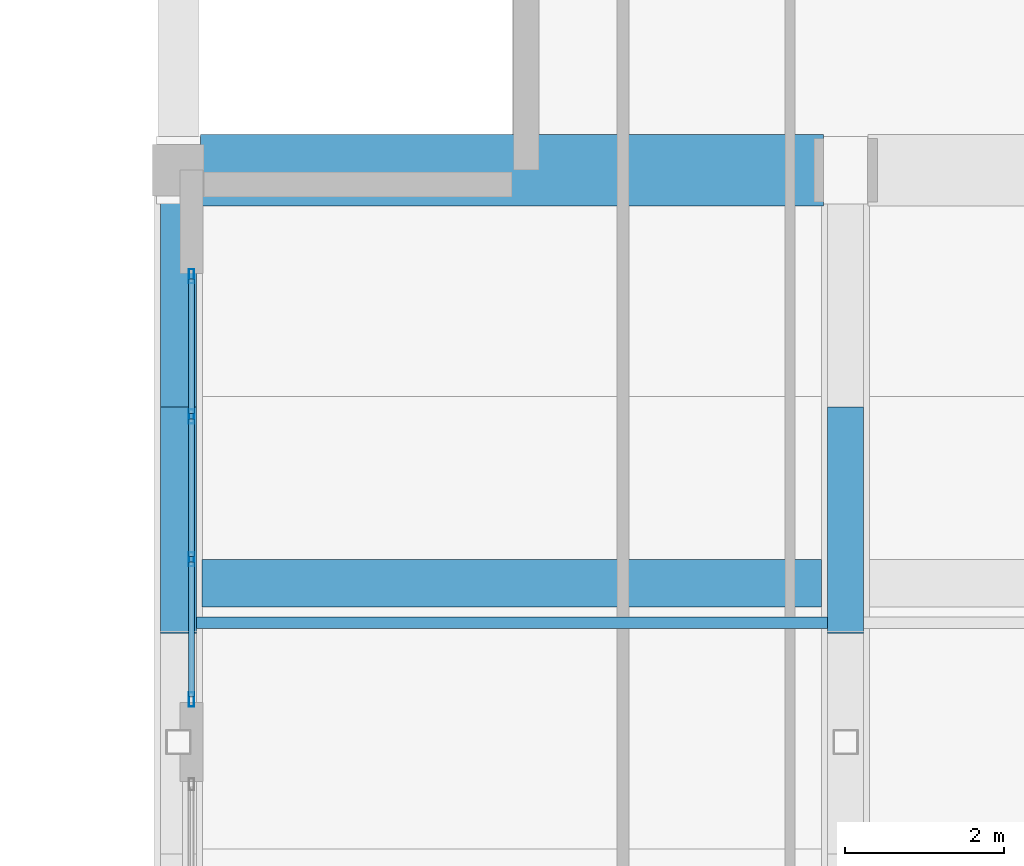
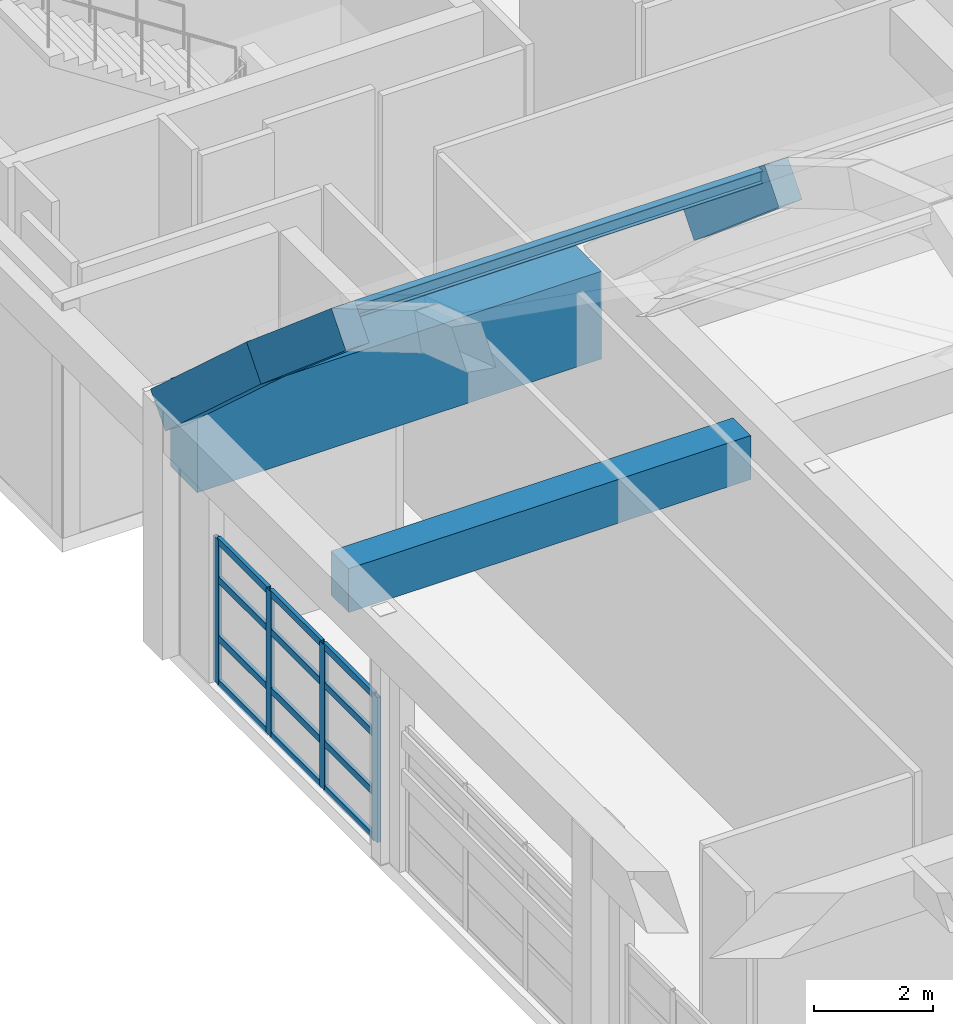
# One storey, part 41 of 103: 17 members, 5 beams, 1 element without a shape of its own.
"""IFC4 building model written with IfcOpenShell, lengths in metres."""

import ifcopenshell
import ifcopenshell.guid

model = None  # the IFC model being written
_history = None  # IfcOwnerHistory: only IFC2X3 demands one
_inside = {}  # id of a spatial element -> (the spatial element, [elements in it])
_under = {}  # id of a project, library or spatial element -> (it, [spatial elements below it])
_declared = {}  # id of a project -> (the project, [libraries it declares])
_typed = {}  # id of a type object -> (the type object, [elements of that type])
_made_of = {}  # id of a material, layer set ... -> (it, [elements and type objects made of it])


def new_model(schema):
    """Start an empty IFC model of exactly this schema.

    Asked for "IFC4X3", IfcOpenShell would pick the latest addendum, in which some entities
    have other attributes; the version numbers below select the first issue.
    IFC2X3 requires an IfcOwnerHistory on every rooted entity: one is made here for all.
    """
    global model, _history
    if schema == "IFC4X3":
        model = ifcopenshell.file(schema_version=(4, 3, 0, 0))
    else:
        model = ifcopenshell.file(schema=schema)
    _inside.clear()
    _under.clear()
    _declared.clear()
    _typed.clear()
    _made_of.clear()
    _history = None
    if model.schema == "IFC2X3":
        org = make("IfcOrganization", Name="unknown")
        user = make(
            "IfcPersonAndOrganization",
            ThePerson=make("IfcPerson", FamilyName="unknown"),
            TheOrganization=org,
        )
        app = make(
            "IfcApplication",
            ApplicationDeveloper=org,
            Version="unknown",
            ApplicationFullName="unknown",
            ApplicationIdentifier="unknown",
        )
        _history = make(
            "IfcOwnerHistory",
            OwningUser=user,
            OwningApplication=app,
            ChangeAction="ADDED",
            CreationDate=0,
        )
    return model


def make(cls, **values):
    """One entity of the class cls with the attributes given. An attribute that is None is left unset."""
    return model.create_entity(
        cls, **{name: value for name, value in values.items() if value is not None}
    )


def rooted(cls, **values):
    """An entity with a GlobalId (a new one), such as an element, a storey or a relation."""
    return make(cls, GlobalId=ifcopenshell.guid.new(), OwnerHistory=_history, **values)


def si_unit(unit_type, name, prefix=None):
    """IfcSIUnit, for example si_unit("LENGTHUNIT", "METRE", prefix="MILLI")."""
    return make("IfcSIUnit", UnitType=unit_type, Prefix=prefix, Name=name)


def assignment(units):
    """IfcUnitAssignment: the units of a project."""
    return None if units is None else make("IfcUnitAssignment", Units=units)


def point(xyz):
    """IfcCartesianPoint."""
    return None if xyz is None else make("IfcCartesianPoint", Coordinates=xyz)


def direction(xyz):
    """IfcDirection."""
    return None if xyz is None else make("IfcDirection", DirectionRatios=xyz)


def frame(location, z_axis=None, x_axis=None):
    """IfcAxis2Placement3D, a coordinate frame: its origin and axes. An axis left out is left unset."""
    return make(
        "IfcAxis2Placement3D",
        Location=point(location),
        Axis=direction(z_axis),
        RefDirection=direction(x_axis),
    )


def frame_2d(location, x_axis=None):
    """IfcAxis2Placement2D, a coordinate frame in the plane: its origin and x axis."""
    return make(
        "IfcAxis2Placement2D", Location=point(location), RefDirection=direction(x_axis)
    )


def origin():
    """The frame at (0, 0, 0) with its axes left unset."""
    return frame((0.0, 0.0, 0.0))


def origin_2d():
    """The frame at (0, 0) in the plane with its x axis left unset."""
    return frame_2d((0.0, 0.0))


def place(relative_to, where):
    """IfcLocalPlacement: puts the frame where relative to a parent placement (None: the world)."""
    return make(
        "IfcLocalPlacement", PlacementRelTo=relative_to, RelativePlacement=where
    )


def context(
    kind, dimensions, precision=None, world=None, true_north=None, identifier=None
):
    """IfcGeometricRepresentationContext, for example the 3D "Model" context."""
    return make(
        "IfcGeometricRepresentationContext",
        ContextIdentifier=identifier,
        ContextType=kind,
        CoordinateSpaceDimension=dimensions,
        Precision=precision,
        WorldCoordinateSystem=world,
        TrueNorth=true_north,
    )


def subcontext(parent, identifier, kind, view, scale=None):
    """IfcGeometricRepresentationSubContext, for example "Body" below "Model"."""
    return make(
        "IfcGeometricRepresentationSubContext",
        ContextIdentifier=identifier,
        ContextType=kind,
        ParentContext=parent,
        TargetScale=scale,
        TargetView=view,
    )


def project(units=None, contexts=None):
    """IfcProject with its units and contexts."""
    return rooted(
        "IfcProject",
        Name="project",
        RepresentationContexts=contexts,
        UnitsInContext=assignment(units),
    )


def spatial(cls, under=None, at=None, **own):
    """A site, building, storey or space (cls), placed at a placement, below another one or the project."""
    s = rooted(cls, ObjectPlacement=at, **own)
    if under is not None:
        _under.setdefault(under.id(), (under, []))[1].append(s)
    return s


def profile(cls, at=None, kind="AREA", **sizes):
    """A parametric profile (cls). Its sizes go by their IFC names, for example OverallWidth=200.0."""
    return make(cls, ProfileType=kind, Position=at, **sizes)


def rectangle(**sizes):
    """IfcRectangleProfileDef."""
    return profile("IfcRectangleProfileDef", **sizes)


def hollow_rectangle(**sizes):
    """IfcRectangleHollowProfileDef."""
    return profile("IfcRectangleHollowProfileDef", **sizes)


def i_section(**sizes):
    """IfcIShapeProfileDef."""
    return profile("IfcIShapeProfileDef", **sizes)


def extrude(swept, where, along, depth):
    """IfcExtrudedAreaSolid: the profile swept, set in the frame where, extruded along a direction by depth."""
    return make(
        "IfcExtrudedAreaSolid",
        SweptArea=swept,
        Position=where,
        ExtrudedDirection=direction(along),
        Depth=depth,
    )


def shape(context_of_items, identifier, shape_type, items):
    """IfcShapeRepresentation: the items that make up one representation, for example the "Body"."""
    return make(
        "IfcShapeRepresentation",
        ContextOfItems=context_of_items,
        RepresentationIdentifier=identifier,
        RepresentationType=shape_type,
        Items=items,
    )


def material(Name=None, Category=None):
    """IfcMaterial."""
    return make("IfcMaterial", Name=Name, Category=Category)


def layer(
    of_material, thickness, ventilated=None, Name=None, Category=None, Priority=None
):
    """IfcMaterialLayer: one layer of a wall or slab, of a material (None: an air gap)."""
    return make(
        "IfcMaterialLayer",
        Material=of_material,
        LayerThickness=thickness,
        IsVentilated=ventilated,
        Name=Name,
        Category=Category,
        Priority=Priority,
    )


def layer_set(layers, Name=None):
    """IfcMaterialLayerSet."""
    return make("IfcMaterialLayerSet", MaterialLayers=layers, LayerSetName=Name)


def material_profile(
    of_material, cross_section, Name=None, Category=None, Priority=None
):
    """IfcMaterialProfile: a cross section and its material."""
    return make(
        "IfcMaterialProfile",
        Name=Name,
        Material=of_material,
        Profile=cross_section,
        Priority=Priority,
        Category=Category,
    )


def profile_set(profiles, Name=None, composite=None):
    """IfcMaterialProfileSet."""
    return make(
        "IfcMaterialProfileSet",
        Name=Name,
        MaterialProfiles=profiles,
        CompositeProfile=composite,
    )


def made_of(thing, what):
    """Note that an element or type object is made of a material, layer set ...; save() writes the relation."""
    if what is not None:
        _made_of.setdefault(what.id(), (what, []))[1].append(thing)
    return thing


def type_object(cls, material=None, **own):
    """A type object (cls), such as IfcWallType, which elements share."""
    return made_of(rooted(cls, **own), material)


def element(
    cls,
    number,
    at=None,
    inside=None,
    cuts=None,
    type_object=None,
    material=None,
    context=None,
    identifier="Body",
    shape_type=None,
    held_by="IfcProductDefinitionShape",
    body=None,
    shapes=None,
    **own,
):
    """One element of the class cls, such as IfcWall. Its Tag is "e" and its number.

    at: its placement. inside: the storey or other place that contains it. cuts: it is an
    opening in that element (IfcRelVoidsElement). A single representation is given by context,
    identifier, shape_type and body (its items); several are given by shapes. held_by: the class
    of the entity that holds the representations. save() writes the other relations.
    """
    e = rooted(cls, Tag="e%d" % number, ObjectPlacement=at, **own)
    if body is not None:
        shapes = [shape(context, identifier, shape_type, body)]
    if shapes is not None:
        e.Representation = make(held_by, Representations=shapes)
    if inside is not None:
        _inside.setdefault(inside.id(), (inside, []))[1].append(e)
    if cuts is not None:
        rooted(
            "IfcRelVoidsElement", RelatingBuildingElement=cuts, RelatedOpeningElement=e
        )
    if type_object is not None:
        _typed.setdefault(type_object.id(), (type_object, []))[1].append(e)
    return made_of(e, material)


def aggregate(whole, parts):
    """IfcRelAggregates: a whole, such as a stair, and the parts it consists of."""
    return rooted("IfcRelAggregates", RelatingObject=whole, RelatedObjects=parts)


def save(model, path):
    """Write the relations noted so far, then the file.

    IfcRelAggregates (storeys below a building ...), IfcRelContainedInSpatialStructure (elements
    in a storey), IfcRelDefinesByType, IfcRelAssociatesMaterial and IfcRelDeclares: one each for
    every whole, place, type object, material and project.
    """
    for whole, parts in _under.values():
        aggregate(whole, parts)
    for where, things in _inside.values():
        rooted(
            "IfcRelContainedInSpatialStructure",
            RelatedElements=things,
            RelatingStructure=where,
        )
    for kind, things in _typed.values():
        rooted("IfcRelDefinesByType", RelatedObjects=things, RelatingType=kind)
    for what, things in _made_of.values():
        rooted("IfcRelAssociatesMaterial", RelatedObjects=things, RelatingMaterial=what)
    for by, libraries in _declared.values():
        rooted("IfcRelDeclares", RelatingContext=by, RelatedDefinitions=libraries)
    model.write(path)


model = new_model("IFC4")

# Units and contexts
model_context = context("Model", 3, precision=1e-05, world=origin(), true_north=direction((0.0, 1.0)))
body_context = subcontext(model_context, "Body", "Model", "MODEL_VIEW")
ifc_project = project(units=[si_unit("LENGTHUNIT", "METRE"), si_unit("AREAUNIT", "SQUARE_METRE"), si_unit("VOLUMEUNIT", "CUBIC_METRE"), si_unit("PLANEANGLEUNIT", "RADIAN"), si_unit("MASSUNIT", "GRAM", prefix="KILO")], contexts=[model_context])

# Site, building, storey
site_placement = place(None, origin())
site = spatial("IfcSite", under=ifc_project, at=site_placement, CompositionType="ELEMENT")
building_placement = place(site_placement, origin())
building = spatial("IfcBuilding", under=site, at=building_placement, Name="Quendrovan Civic Courthouse", CompositionType="ELEMENT")
storey_placement = place(building_placement, frame((0.0, 0.0, 15.300048828125)))
storey = spatial("IfcBuildingStorey", under=building, at=storey_placement, Name="L04", CompositionType="ELEMENT", Elevation=15.300048828125)

# Beams
ifc_material_1 = material(Name="Concrete C40/50", Category="concrete")
ifc_material_profile_1 = material_profile(ifc_material_1, rectangle(XDim=0.60009765625, YDim=0.89990234375, at=origin_2d()), Name="RC-BM-600x900")
ifc_profile_set_1 = profile_set([ifc_material_profile_1], Name="Concrete C40/50")
beam_type_1 = type_object("IfcBeamType", Name="BM-RC900", PredefinedType="BEAM", material=ifc_profile_set_1)
beam_1_placement = place(storey_placement, frame((33.89990234375, 82.39990234375, 4.349853515625), z_axis=(1.0, 0.0, 0.0), x_axis=(0.0, 1.0, 0.0)))
element("IfcBeam", 1, at=beam_1_placement, inside=storey, type_object=beam_type_1, Name="BV2 Eave Backspan Collector Beam N-B1", PredefinedType="BEAM", context=body_context, shape_type="SweptSolid", body=[
    extrude(rectangle(XDim=0.60009765625, YDim=0.89990234375, at=origin_2d()), origin(), (0.0, 0.0, 1.0), 7.800048828125),
])
ifc_material_2 = material(Name="Concrete C45/55", Category="concrete")
ifc_material_profile_2 = material_profile(ifc_material_2, rectangle(XDim=0.89990234375, YDim=1.800048828125, at=origin_2d()), Name="RC-TG-900x1800")
ifc_profile_set_2 = profile_set([ifc_material_profile_2], Name="Concrete C45/55")
beam_type_2 = type_object("IfcBeamType", Name="BM-TG1800", PredefinedType="BEAM", material=ifc_profile_set_2)
beam_2_placement = place(storey_placement, frame((33.8798828125, 87.60009765625, 4.199951171875), z_axis=(1.0, 0.0, 0.0), x_axis=(0.0, 1.0, 0.0)))
element("IfcBeam", 2, at=beam_2_placement, inside=storey, type_object=beam_type_2, Name="BV2 Springing Collector Girder N-1", PredefinedType="BEAM", context=body_context, shape_type="SweptSolid", body=[
    extrude(rectangle(XDim=0.89990234375, YDim=1.800048828125, at=origin_2d()), origin(), (0.0, 0.0, 1.0), 7.840087890625),
])
ifc_material_profile_3 = material_profile(ifc_material_1, rectangle(XDim=0.449951171875, YDim=0.75, at=origin_2d()), Name="RC-VRIB-450x750")
ifc_profile_set_3 = profile_set([ifc_material_profile_3], Name="Concrete C40/50")
beam_type_3 = type_object("IfcBeamType", Name="BM-VRIB750", PredefinedType="BEAM", material=ifc_profile_set_3)
beam_3_placement = place(storey_placement, frame((33.60009765625, 81.52783203125, 10.237548828125), z_axis=(0.0, 0.762419306116, -0.647083303495), x_axis=(-1.0, 0.0, 0.0)))
element("IfcBeam", 3, at=beam_3_placement, inside=storey, type_object=beam_type_3, Name="BV2 Concrete Vault Arch Rib A1-C7", PredefinedType="BEAM", context=body_context, shape_type="SweptSolid", body=[
    extrude(rectangle(XDim=0.449951171875, YDim=0.75, at=origin_2d()), origin(), (0.0, 0.0, 1.0), 3.73828125),
])
beam_4_placement = place(storey_placement, frame((33.60009765625, 84.3232421875, 7.87158203125), z_axis=(0.0, 0.740758632606, -0.671771276716), x_axis=(-1.0, 0.0, 0.0)))
element("IfcBeam", 4, at=beam_4_placement, inside=storey, type_object=beam_type_3, Name="BV2 Concrete Vault Arch Rib A1-C8", PredefinedType="BEAM", context=body_context, shape_type="SweptSolid", body=[
    extrude(rectangle(XDim=0.449951171875, YDim=0.75, at=origin_2d()), origin(), (0.0, 0.0, 1.0), 4.423583984375),
])
beam_5_placement = place(storey_placement, frame((42.0, 81.52783203125, 10.237548828125), z_axis=(0.0, 0.762419306116, -0.647083303495), x_axis=(-1.0, 0.0, 0.0)))
element("IfcBeam", 5, at=beam_5_placement, inside=storey, type_object=beam_type_3, Name="BV2 Concrete Vault Arch Rib A2-C7", PredefinedType="BEAM", context=body_context, shape_type="SweptSolid", body=[
    extrude(rectangle(XDim=0.449951171875, YDim=0.75, at=origin_2d()), origin(), (0.0, 0.0, 1.0), 3.73828125),
])

# Curtain wall, members
ifc_material_3 = material(Name="Bronze anodised aluminium and low-E glass", Category="aluminium")
ifc_layer = layer(ifc_material_3, 0.179931640625, Name="Bronze anodised aluminium and low-E glass")
ifc_layer_set = layer_set([ifc_layer], Name="Bronze anodised aluminium and low-E glass")
curtain_wall_type = type_object("IfcCurtainWallType", Name="CW-U54x30", PredefinedType="USERDEFINED", material=ifc_layer_set)
curtain_wall_placement = place(storey_placement, origin())
curtain_wall = element("IfcCurtainWall", 6, at=curtain_wall_placement, inside=storey, type_object=curtain_wall_type, Name="L04 Unitised Hurricane Curtain Wall CW-166", ObjectType="UNITISED CURTAIN WALL", PredefinedType="USERDEFINED")
ifc_material_4 = material(Name="Bronze anodised aluminium", Category="aluminium")
ifc_material_profile_4 = material_profile(ifc_material_4, hollow_rectangle(XDim=0.070068359375, YDim=0.179931640625, WallThickness=0.00390625, at=origin_2d()), Name="CW-MULL-70x180")
ifc_profile_set_4 = profile_set([ifc_material_profile_4], Name="Bronze anodised aluminium")
member_type_1 = type_object("IfcMemberType", Name="CW-MULL-A", PredefinedType="MULLION", material=ifc_profile_set_4)
member_1_placement = place(storey_placement, frame((33.764892578125, 80.93505859375, 0.0), z_axis=(0.0, 0.0, 1.0), x_axis=(-1.0, 0.0, 0.0)))
member_1 = element("IfcMember", 7, at=member_1_placement, type_object=member_type_1, Name="CW-166 mullion 1", PredefinedType="MULLION", context=body_context, shape_type="SweptSolid", body=[
    extrude(hollow_rectangle(XDim=0.070068359375, YDim=0.179931640625, WallThickness=0.00390625, at=origin_2d()), origin(), (0.0, 0.0, 1.0), 2.969970703125),
])
member_2_placement = place(storey_placement, frame((33.764892578125, 82.699951171875, 0.0), z_axis=(0.0, 0.0, 1.0), x_axis=(-1.0, 0.0, 0.0)))
member_2 = element("IfcMember", 8, at=member_2_placement, type_object=member_type_1, Name="CW-166 mullion 2", PredefinedType="MULLION", context=body_context, shape_type="SweptSolid", body=[
    extrude(hollow_rectangle(XDim=0.070068359375, YDim=0.179931640625, WallThickness=0.00390625, at=origin_2d()), origin(), (0.0, 0.0, 1.0), 2.969970703125),
])
member_3_placement = place(storey_placement, frame((33.764892578125, 84.5, 0.0), z_axis=(0.0, 0.0, 1.0), x_axis=(-1.0, 0.0, 0.0)))
member_3 = element("IfcMember", 9, at=member_3_placement, type_object=member_type_1, Name="CW-166 mullion 3", PredefinedType="MULLION", context=body_context, shape_type="SweptSolid", body=[
    extrude(hollow_rectangle(XDim=0.070068359375, YDim=0.179931640625, WallThickness=0.00390625, at=origin_2d()), origin(), (0.0, 0.0, 1.0), 2.969970703125),
])
member_4_placement = place(storey_placement, frame((33.764892578125, 86.264892578125, 0.0), z_axis=(0.0, 0.0, 1.0), x_axis=(-1.0, 0.0, 0.0)))
member_4 = element("IfcMember", 10, at=member_4_placement, type_object=member_type_1, Name="CW-166 mullion 4", PredefinedType="MULLION", context=body_context, shape_type="SweptSolid", body=[
    extrude(hollow_rectangle(XDim=0.070068359375, YDim=0.179931640625, WallThickness=0.00390625, at=origin_2d()), origin(), (0.0, 0.0, 1.0), 2.969970703125),
])
ifc_material_profile_5 = material_profile(ifc_material_4, hollow_rectangle(XDim=0.070068359375, YDim=0.139892578125, WallThickness=0.00390625, at=origin_2d()), Name="CW-TRAN-70x140")
ifc_profile_set_5 = profile_set([ifc_material_profile_5], Name="Bronze anodised aluminium")
member_type_2 = type_object("IfcMemberType", Name="CW-TRAN-A", PredefinedType="USERDEFINED", material=ifc_profile_set_5)
member_5_placement = place(storey_placement, frame((33.764892578125, 80.969970703125, 0.034912109375), z_axis=(0.0, 1.0, 0.0), x_axis=(-1.0, 0.0, 0.0)))
member_5 = element("IfcMember", 11, at=member_5_placement, type_object=member_type_2, Name="CW-166 transom 1.1", ObjectType="TRANSOM", PredefinedType="USERDEFINED", context=body_context, shape_type="SweptSolid", body=[
    extrude(hollow_rectangle(XDim=0.070068359375, YDim=0.139892578125, WallThickness=0.00390625, at=origin_2d()), origin(), (0.0, 0.0, 1.0), 1.695068359375),
])
member_6_placement = place(storey_placement, frame((33.764892578125, 80.969970703125, 0.949951171875), z_axis=(0.0, 1.0, 0.0), x_axis=(-1.0, 0.0, 0.0)))
member_6 = element("IfcMember", 12, at=member_6_placement, type_object=member_type_2, Name="CW-166 transom 1.2", ObjectType="TRANSOM", PredefinedType="USERDEFINED", context=body_context, shape_type="SweptSolid", body=[
    extrude(hollow_rectangle(XDim=0.070068359375, YDim=0.139892578125, WallThickness=0.00390625, at=origin_2d()), origin(), (0.0, 0.0, 1.0), 1.695068359375),
])
member_7_placement = place(storey_placement, frame((33.764892578125, 80.969970703125, 2.14990234375), z_axis=(0.0, 1.0, 0.0), x_axis=(-1.0, 0.0, 0.0)))
member_7 = element("IfcMember", 13, at=member_7_placement, type_object=member_type_2, Name="CW-166 transom 1.3", ObjectType="TRANSOM", PredefinedType="USERDEFINED", context=body_context, shape_type="SweptSolid", body=[
    extrude(hollow_rectangle(XDim=0.070068359375, YDim=0.139892578125, WallThickness=0.00390625, at=origin_2d()), origin(), (0.0, 0.0, 1.0), 1.695068359375),
])
member_8_placement = place(storey_placement, frame((33.764892578125, 80.969970703125, 2.93505859375), z_axis=(0.0, 1.0, 0.0), x_axis=(-1.0, 0.0, 0.0)))
member_8 = element("IfcMember", 14, at=member_8_placement, type_object=member_type_2, Name="CW-166 transom 1.4", ObjectType="TRANSOM", PredefinedType="USERDEFINED", context=body_context, shape_type="SweptSolid", body=[
    extrude(hollow_rectangle(XDim=0.070068359375, YDim=0.139892578125, WallThickness=0.00390625, at=origin_2d()), origin(), (0.0, 0.0, 1.0), 1.695068359375),
])
member_9_placement = place(storey_placement, frame((33.764892578125, 82.735107421875, 0.034912109375), z_axis=(0.0, 1.0, 0.0), x_axis=(-1.0, 0.0, 0.0)))
member_9 = element("IfcMember", 15, at=member_9_placement, type_object=member_type_2, Name="CW-166 transom 2.1", ObjectType="TRANSOM", PredefinedType="USERDEFINED", context=body_context, shape_type="SweptSolid", body=[
    extrude(hollow_rectangle(XDim=0.070068359375, YDim=0.139892578125, WallThickness=0.00390625, at=origin_2d()), origin(), (0.0, 0.0, 1.0), 1.72998046875),
])
member_10_placement = place(storey_placement, frame((33.764892578125, 82.735107421875, 0.949951171875), z_axis=(0.0, 1.0, 0.0), x_axis=(-1.0, 0.0, 0.0)))
member_10 = element("IfcMember", 16, at=member_10_placement, type_object=member_type_2, Name="CW-166 transom 2.2", ObjectType="TRANSOM", PredefinedType="USERDEFINED", context=body_context, shape_type="SweptSolid", body=[
    extrude(hollow_rectangle(XDim=0.070068359375, YDim=0.139892578125, WallThickness=0.00390625, at=origin_2d()), origin(), (0.0, 0.0, 1.0), 1.72998046875),
])
member_11_placement = place(storey_placement, frame((33.764892578125, 82.735107421875, 2.14990234375), z_axis=(0.0, 1.0, 0.0), x_axis=(-1.0, 0.0, 0.0)))
member_11 = element("IfcMember", 17, at=member_11_placement, type_object=member_type_2, Name="CW-166 transom 2.3", ObjectType="TRANSOM", PredefinedType="USERDEFINED", context=body_context, shape_type="SweptSolid", body=[
    extrude(hollow_rectangle(XDim=0.070068359375, YDim=0.139892578125, WallThickness=0.00390625, at=origin_2d()), origin(), (0.0, 0.0, 1.0), 1.72998046875),
])
member_12_placement = place(storey_placement, frame((33.764892578125, 82.735107421875, 2.93505859375), z_axis=(0.0, 1.0, 0.0), x_axis=(-1.0, 0.0, 0.0)))
member_12 = element("IfcMember", 18, at=member_12_placement, type_object=member_type_2, Name="CW-166 transom 2.4", ObjectType="TRANSOM", PredefinedType="USERDEFINED", context=body_context, shape_type="SweptSolid", body=[
    extrude(hollow_rectangle(XDim=0.070068359375, YDim=0.139892578125, WallThickness=0.00390625, at=origin_2d()), origin(), (0.0, 0.0, 1.0), 1.72998046875),
])
member_13_placement = place(storey_placement, frame((33.764892578125, 84.534912109375, 0.034912109375), z_axis=(0.0, 1.0, 0.0), x_axis=(-1.0, 0.0, 0.0)))
member_13 = element("IfcMember", 19, at=member_13_placement, type_object=member_type_2, Name="CW-166 transom 3.1", ObjectType="TRANSOM", PredefinedType="USERDEFINED", context=body_context, shape_type="SweptSolid", body=[
    extrude(hollow_rectangle(XDim=0.070068359375, YDim=0.139892578125, WallThickness=0.00390625, at=origin_2d()), origin(), (0.0, 0.0, 1.0), 1.695068359375),
])
member_14_placement = place(storey_placement, frame((33.764892578125, 84.534912109375, 0.949951171875), z_axis=(0.0, 1.0, 0.0), x_axis=(-1.0, 0.0, 0.0)))
member_14 = element("IfcMember", 20, at=member_14_placement, type_object=member_type_2, Name="CW-166 transom 3.2", ObjectType="TRANSOM", PredefinedType="USERDEFINED", context=body_context, shape_type="SweptSolid", body=[
    extrude(hollow_rectangle(XDim=0.070068359375, YDim=0.139892578125, WallThickness=0.00390625, at=origin_2d()), origin(), (0.0, 0.0, 1.0), 1.695068359375),
])
member_15_placement = place(storey_placement, frame((33.764892578125, 84.534912109375, 2.14990234375), z_axis=(0.0, 1.0, 0.0), x_axis=(-1.0, 0.0, 0.0)))
member_15 = element("IfcMember", 21, at=member_15_placement, type_object=member_type_2, Name="CW-166 transom 3.3", ObjectType="TRANSOM", PredefinedType="USERDEFINED", context=body_context, shape_type="SweptSolid", body=[
    extrude(hollow_rectangle(XDim=0.070068359375, YDim=0.139892578125, WallThickness=0.00390625, at=origin_2d()), origin(), (0.0, 0.0, 1.0), 1.695068359375),
])
member_16_placement = place(storey_placement, frame((33.764892578125, 84.534912109375, 2.93505859375), z_axis=(0.0, 1.0, 0.0), x_axis=(-1.0, 0.0, 0.0)))
member_16 = element("IfcMember", 22, at=member_16_placement, type_object=member_type_2, Name="CW-166 transom 3.4", ObjectType="TRANSOM", PredefinedType="USERDEFINED", context=body_context, shape_type="SweptSolid", body=[
    extrude(hollow_rectangle(XDim=0.070068359375, YDim=0.139892578125, WallThickness=0.00390625, at=origin_2d()), origin(), (0.0, 0.0, 1.0), 1.695068359375),
])
aggregate(curtain_wall, [member_1, member_2, member_3, member_4, member_5, member_6, member_7, member_8, member_9, member_10, member_11, member_12, member_13, member_14, member_15, member_16])

# Member
ifc_material_5 = material(Name="Steel ASTM A992 Grade 50", Category="steel")
ifc_material_profile_6 = material_profile(ifc_material_5, i_section(OverallWidth=0.14599609375, OverallDepth=0.258056640625, WebThickness=0.006103515625, FlangeThickness=0.009033203125, at=origin_2d()), Name="W250x33")
ifc_profile_set_6 = profile_set([ifc_material_profile_6], Name="Steel ASTM A992 Grade 50")
member_type_3 = type_object("IfcMemberType", Name="MEM-PUR-W250", PredefinedType="PURLIN", material=ifc_profile_set_6)
member_17_placement = place(storey_placement, frame((33.60009765625, 81.89990234375, 10.23583984375), z_axis=(1.0, 0.0, 0.0), x_axis=(0.0, 1.0, 0.0)))
element("IfcMember", 23, at=member_17_placement, inside=storey, type_object=member_type_3, Name="BV2 Vault Longitudinal Purlin B1-3", PredefinedType="PURLIN", context=body_context, shape_type="SweptSolid", body=[
    extrude(i_section(OverallWidth=0.14599609375, OverallDepth=0.258056640625, WebThickness=0.006103515625, FlangeThickness=0.009033203125, at=origin_2d()), origin(), (0.0, 0.0, 1.0), 8.39990234375),
])

save(model, "model.ifc")
